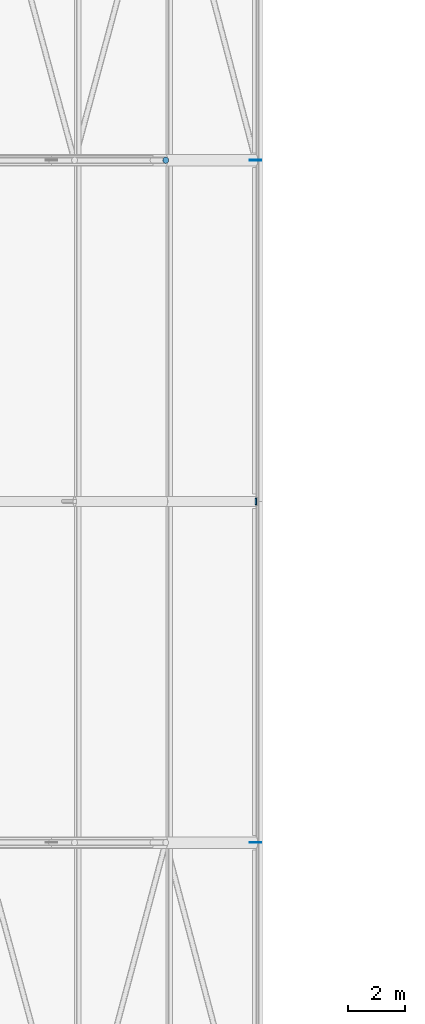
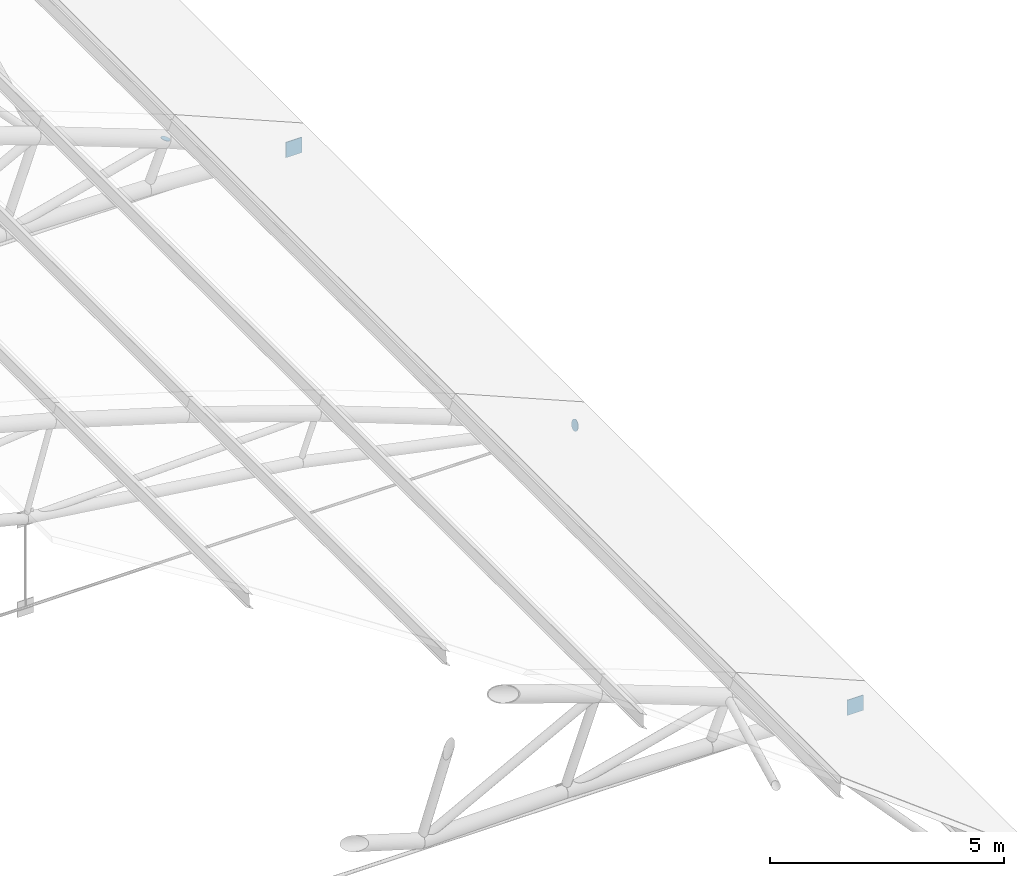
# One storey, part 279 of 321: 4 discrete accessories.
"""IFC4 building model written with IfcOpenShell, lengths in metres."""

from ifc_helpers import new_model, si_unit, direction, frame, origin, origin_2d, place, context, subcontext, project, spatial, rectangle, circle, extrude, material, material_profile, profile_set, type_object, element, save


model = new_model("IFC4")

# Units and contexts
model_context = context("Model", 3, precision=1e-05, world=origin(), true_north=direction((0.0, 1.0)))
body_context = subcontext(model_context, "Body", "Model", "MODEL_VIEW")
ifc_project = project(units=[si_unit("LENGTHUNIT", "METRE"), si_unit("AREAUNIT", "SQUARE_METRE"), si_unit("VOLUMEUNIT", "CUBIC_METRE"), si_unit("PLANEANGLEUNIT", "RADIAN"), si_unit("MASSUNIT", "GRAM", prefix="KILO")], contexts=[model_context])

# Site, building, storey
site_placement = place(None, origin())
site = spatial("IfcSite", under=ifc_project, at=site_placement, CompositionType="ELEMENT")
building_placement = place(site_placement, origin())
building = spatial("IfcBuilding", under=site, at=building_placement, Name="Ravi Spectrum Wholesale Market", CompositionType="ELEMENT")
storey_placement = place(building_placement, frame((0.0, 0.0, 10.800048828125)))
storey = spatial("IfcBuildingStorey", under=building, at=storey_placement, Name="L02", CompositionType="ELEMENT", Elevation=10.800048828125)

# Discrete accessories
ifc_material_1 = material(Name="Steel S355", Category="steel")
ifc_material_profile_1 = material_profile(ifc_material_1, circle(Radius=0.109619140625, at=origin_2d()))
ifc_profile_set_1 = profile_set([ifc_material_profile_1], Name="Steel S355")
discrete_accessory_type_1 = type_object("IfcDiscreteAccessoryType", Name="End plate CHS 219.1x8", PredefinedType="BRACKET", material=ifc_profile_set_1)
discrete_accessory_1_placement = place(storey_placement, frame((106.836181640625, 102.0, 1.325439453125), z_axis=(0.364399348581, 0.0, 0.931242779706), x_axis=(0.0, 1.0, 0.0)))
element("IfcDiscreteAccessory", 1, at=discrete_accessory_1_placement, inside=storey, type_object=discrete_accessory_type_1, Name="End plate", PredefinedType="BRACKET", context=body_context, shape_type="SweptSolid", body=[
    extrude(circle(Radius=0.109619140625, at=origin_2d()), origin(), (0.0, 0.0, 1.0), 0.011962890625),
])
ifc_material_2 = material(Name="Steel S355", Category="steel")
ifc_material_profile_2 = material_profile(ifc_material_2, circle(Radius=0.136474609375, at=origin_2d()))
ifc_profile_set_2 = profile_set([ifc_material_profile_2], Name="Steel S355")
discrete_accessory_type_2 = type_object("IfcDiscreteAccessoryType", Name="End plate CHS 273x10", PredefinedType="BRACKET", material=ifc_profile_set_2)
discrete_accessory_2_placement = place(storey_placement, frame((110.01025390625, 90.0, 0.023193359375), z_axis=(0.978980419738, 0.0, -0.203954254112), x_axis=(0.0, 1.0, 0.0)))
element("IfcDiscreteAccessory", 2, at=discrete_accessory_2_placement, inside=storey, type_object=discrete_accessory_type_2, Name="End plate", PredefinedType="BRACKET", context=body_context, shape_type="SweptSolid", body=[
    extrude(circle(Radius=0.136474609375, at=origin_2d()), origin(), (0.0, 0.0, 1.0), 0.011962890625),
])
ifc_material_3 = material(Name="Steel S355", Category="steel")
ifc_material_profile_3 = material_profile(ifc_material_3, rectangle(XDim=0.39990234375, YDim=0.02001953125, at=origin_2d()))
ifc_profile_set_3 = profile_set([ifc_material_profile_3], Name="Steel S355")
discrete_accessory_type_3 = type_object("IfcDiscreteAccessoryType", Name="Gusset plate 400x400x20", PredefinedType="BRACKET", material=ifc_profile_set_3)
for number, where, z_axis, x_axis, name in (
    (3, (110.0, 78.0, -0.199951171875), (0.0, 0.0, 1.0), (1.0, 0.0, 0.0), "Gusset plate"),
    (4, (110.0, 102.0, -0.199951171875), (0.0, 0.0, 1.0), (1.0, 0.0, 0.0), "Gusset plate"),
):
    element("IfcDiscreteAccessory", number, at=place(storey_placement, frame(where, z_axis=z_axis, x_axis=x_axis)), inside=storey, type_object=discrete_accessory_type_3, Name=name, PredefinedType="BRACKET", context=body_context, shape_type="SweptSolid", body=[
        extrude(rectangle(XDim=0.39990234375, YDim=0.02001953125, at=origin_2d()), origin(), (0.0, 0.0, 1.0), 0.39990234375),
    ])

save(model, "model.ifc")
